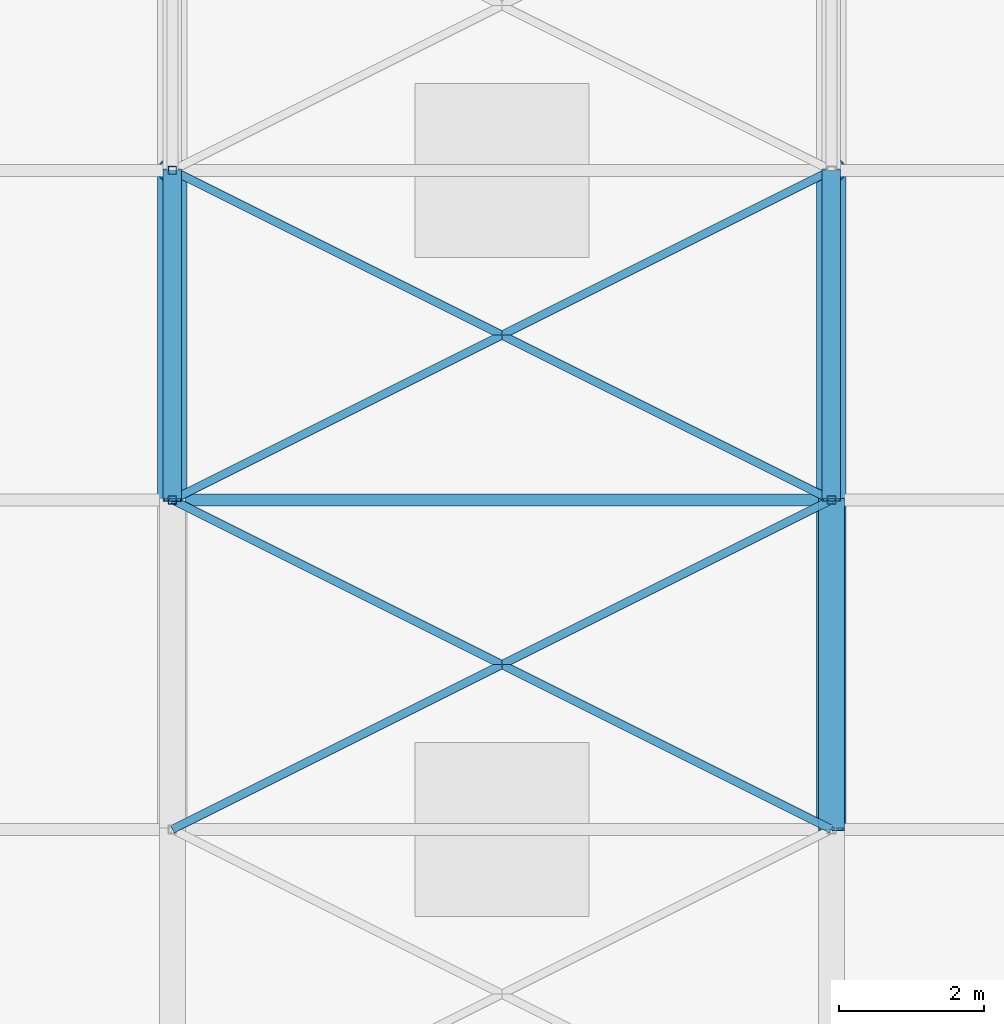
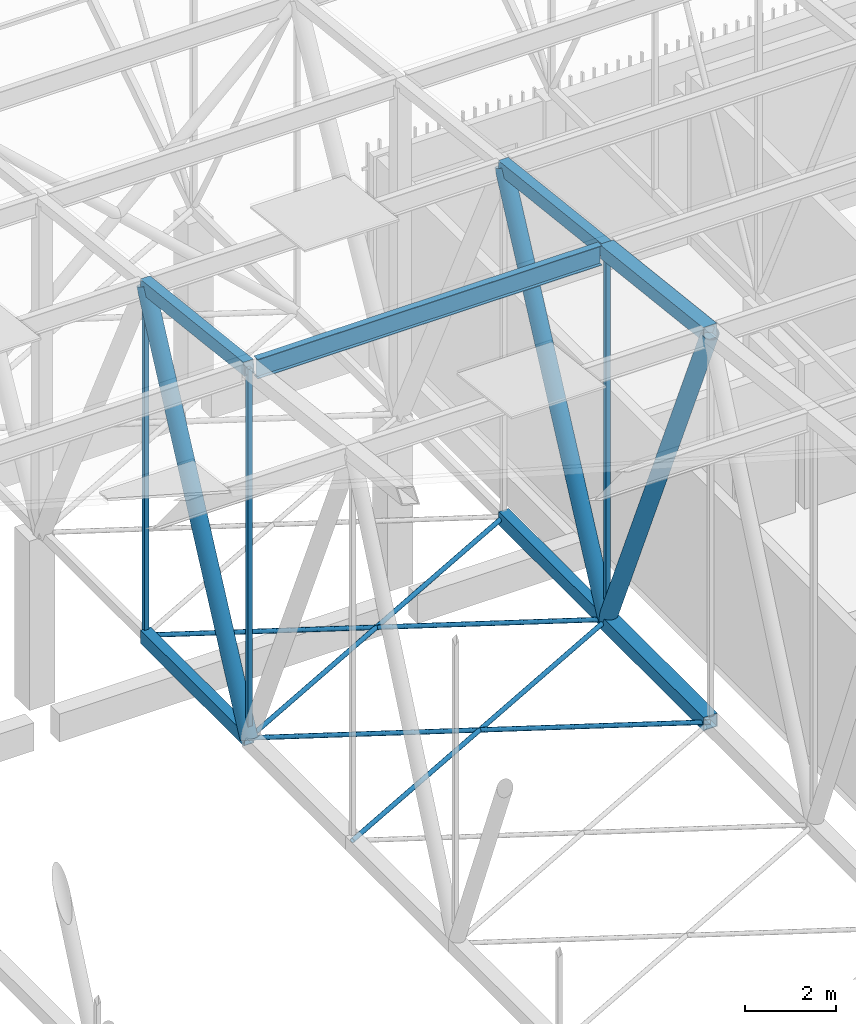
# One storey, part 311 of 500: 17 members.
"""IFC4 building model written with IfcOpenShell, lengths in metres."""

import ifcopenshell
import ifcopenshell.guid

model = None  # the IFC model being written
_history = None  # IfcOwnerHistory: only IFC2X3 demands one
_inside = {}  # id of a spatial element -> (the spatial element, [elements in it])
_under = {}  # id of a project, library or spatial element -> (it, [spatial elements below it])
_declared = {}  # id of a project -> (the project, [libraries it declares])
_typed = {}  # id of a type object -> (the type object, [elements of that type])
_made_of = {}  # id of a material, layer set ... -> (it, [elements and type objects made of it])


def new_model(schema):
    """Start an empty IFC model of exactly this schema.

    Asked for "IFC4X3", IfcOpenShell would pick the latest addendum, in which some entities
    have other attributes; the version numbers below select the first issue.
    IFC2X3 requires an IfcOwnerHistory on every rooted entity: one is made here for all.
    """
    global model, _history
    if schema == "IFC4X3":
        model = ifcopenshell.file(schema_version=(4, 3, 0, 0))
    else:
        model = ifcopenshell.file(schema=schema)
    _inside.clear()
    _under.clear()
    _declared.clear()
    _typed.clear()
    _made_of.clear()
    _history = None
    if model.schema == "IFC2X3":
        org = make("IfcOrganization", Name="unknown")
        user = make(
            "IfcPersonAndOrganization",
            ThePerson=make("IfcPerson", FamilyName="unknown"),
            TheOrganization=org,
        )
        app = make(
            "IfcApplication",
            ApplicationDeveloper=org,
            Version="unknown",
            ApplicationFullName="unknown",
            ApplicationIdentifier="unknown",
        )
        _history = make(
            "IfcOwnerHistory",
            OwningUser=user,
            OwningApplication=app,
            ChangeAction="ADDED",
            CreationDate=0,
        )
    return model


def make(cls, **values):
    """One entity of the class cls with the attributes given. An attribute that is None is left unset."""
    return model.create_entity(
        cls, **{name: value for name, value in values.items() if value is not None}
    )


def rooted(cls, **values):
    """An entity with a GlobalId (a new one), such as an element, a storey or a relation."""
    return make(cls, GlobalId=ifcopenshell.guid.new(), OwnerHistory=_history, **values)


def si_unit(unit_type, name, prefix=None):
    """IfcSIUnit, for example si_unit("LENGTHUNIT", "METRE", prefix="MILLI")."""
    return make("IfcSIUnit", UnitType=unit_type, Prefix=prefix, Name=name)


def assignment(units):
    """IfcUnitAssignment: the units of a project."""
    return None if units is None else make("IfcUnitAssignment", Units=units)


def point(xyz):
    """IfcCartesianPoint."""
    return None if xyz is None else make("IfcCartesianPoint", Coordinates=xyz)


def direction(xyz):
    """IfcDirection."""
    return None if xyz is None else make("IfcDirection", DirectionRatios=xyz)


def frame(location, z_axis=None, x_axis=None):
    """IfcAxis2Placement3D, a coordinate frame: its origin and axes. An axis left out is left unset."""
    return make(
        "IfcAxis2Placement3D",
        Location=point(location),
        Axis=direction(z_axis),
        RefDirection=direction(x_axis),
    )


def frame_2d(location, x_axis=None):
    """IfcAxis2Placement2D, a coordinate frame in the plane: its origin and x axis."""
    return make(
        "IfcAxis2Placement2D", Location=point(location), RefDirection=direction(x_axis)
    )


def origin():
    """The frame at (0, 0, 0) with its axes left unset."""
    return frame((0.0, 0.0, 0.0))


def origin_2d():
    """The frame at (0, 0) in the plane with its x axis left unset."""
    return frame_2d((0.0, 0.0))


def place(relative_to, where):
    """IfcLocalPlacement: puts the frame where relative to a parent placement (None: the world)."""
    return make(
        "IfcLocalPlacement", PlacementRelTo=relative_to, RelativePlacement=where
    )


def context(
    kind, dimensions, precision=None, world=None, true_north=None, identifier=None
):
    """IfcGeometricRepresentationContext, for example the 3D "Model" context."""
    return make(
        "IfcGeometricRepresentationContext",
        ContextIdentifier=identifier,
        ContextType=kind,
        CoordinateSpaceDimension=dimensions,
        Precision=precision,
        WorldCoordinateSystem=world,
        TrueNorth=true_north,
    )


def subcontext(parent, identifier, kind, view, scale=None):
    """IfcGeometricRepresentationSubContext, for example "Body" below "Model"."""
    return make(
        "IfcGeometricRepresentationSubContext",
        ContextIdentifier=identifier,
        ContextType=kind,
        ParentContext=parent,
        TargetScale=scale,
        TargetView=view,
    )


def project(units=None, contexts=None):
    """IfcProject with its units and contexts."""
    return rooted(
        "IfcProject",
        Name="project",
        RepresentationContexts=contexts,
        UnitsInContext=assignment(units),
    )


def spatial(cls, under=None, at=None, **own):
    """A site, building, storey or space (cls), placed at a placement, below another one or the project."""
    s = rooted(cls, ObjectPlacement=at, **own)
    if under is not None:
        _under.setdefault(under.id(), (under, []))[1].append(s)
    return s


def profile(cls, at=None, kind="AREA", **sizes):
    """A parametric profile (cls). Its sizes go by their IFC names, for example OverallWidth=200.0."""
    return make(cls, ProfileType=kind, Position=at, **sizes)


def hollow_rectangle(**sizes):
    """IfcRectangleHollowProfileDef."""
    return profile("IfcRectangleHollowProfileDef", **sizes)


def hollow_circle(**sizes):
    """IfcCircleHollowProfileDef."""
    return profile("IfcCircleHollowProfileDef", **sizes)


def i_section(**sizes):
    """IfcIShapeProfileDef."""
    return profile("IfcIShapeProfileDef", **sizes)


def extrude(swept, where, along, depth):
    """IfcExtrudedAreaSolid: the profile swept, set in the frame where, extruded along a direction by depth."""
    return make(
        "IfcExtrudedAreaSolid",
        SweptArea=swept,
        Position=where,
        ExtrudedDirection=direction(along),
        Depth=depth,
    )


def shape(context_of_items, identifier, shape_type, items):
    """IfcShapeRepresentation: the items that make up one representation, for example the "Body"."""
    return make(
        "IfcShapeRepresentation",
        ContextOfItems=context_of_items,
        RepresentationIdentifier=identifier,
        RepresentationType=shape_type,
        Items=items,
    )


def material(Name=None, Category=None):
    """IfcMaterial."""
    return make("IfcMaterial", Name=Name, Category=Category)


def material_profile(
    of_material, cross_section, Name=None, Category=None, Priority=None
):
    """IfcMaterialProfile: a cross section and its material."""
    return make(
        "IfcMaterialProfile",
        Name=Name,
        Material=of_material,
        Profile=cross_section,
        Priority=Priority,
        Category=Category,
    )


def profile_set(profiles, Name=None, composite=None):
    """IfcMaterialProfileSet."""
    return make(
        "IfcMaterialProfileSet",
        Name=Name,
        MaterialProfiles=profiles,
        CompositeProfile=composite,
    )


def made_of(thing, what):
    """Note that an element or type object is made of a material, layer set ...; save() writes the relation."""
    if what is not None:
        _made_of.setdefault(what.id(), (what, []))[1].append(thing)
    return thing


def type_object(cls, material=None, **own):
    """A type object (cls), such as IfcWallType, which elements share."""
    return made_of(rooted(cls, **own), material)


def element(
    cls,
    number,
    at=None,
    inside=None,
    cuts=None,
    type_object=None,
    material=None,
    context=None,
    identifier="Body",
    shape_type=None,
    held_by="IfcProductDefinitionShape",
    body=None,
    shapes=None,
    **own,
):
    """One element of the class cls, such as IfcWall. Its Tag is "e" and its number.

    at: its placement. inside: the storey or other place that contains it. cuts: it is an
    opening in that element (IfcRelVoidsElement). A single representation is given by context,
    identifier, shape_type and body (its items); several are given by shapes. held_by: the class
    of the entity that holds the representations. save() writes the other relations.
    """
    e = rooted(cls, Tag="e%d" % number, ObjectPlacement=at, **own)
    if body is not None:
        shapes = [shape(context, identifier, shape_type, body)]
    if shapes is not None:
        e.Representation = make(held_by, Representations=shapes)
    if inside is not None:
        _inside.setdefault(inside.id(), (inside, []))[1].append(e)
    if cuts is not None:
        rooted(
            "IfcRelVoidsElement", RelatingBuildingElement=cuts, RelatedOpeningElement=e
        )
    if type_object is not None:
        _typed.setdefault(type_object.id(), (type_object, []))[1].append(e)
    return made_of(e, material)


def aggregate(whole, parts):
    """IfcRelAggregates: a whole, such as a stair, and the parts it consists of."""
    return rooted("IfcRelAggregates", RelatingObject=whole, RelatedObjects=parts)


def save(model, path):
    """Write the relations noted so far, then the file.

    IfcRelAggregates (storeys below a building ...), IfcRelContainedInSpatialStructure (elements
    in a storey), IfcRelDefinesByType, IfcRelAssociatesMaterial and IfcRelDeclares: one each for
    every whole, place, type object, material and project.
    """
    for whole, parts in _under.values():
        aggregate(whole, parts)
    for where, things in _inside.values():
        rooted(
            "IfcRelContainedInSpatialStructure",
            RelatedElements=things,
            RelatingStructure=where,
        )
    for kind, things in _typed.values():
        rooted("IfcRelDefinesByType", RelatedObjects=things, RelatingType=kind)
    for what, things in _made_of.values():
        rooted("IfcRelAssociatesMaterial", RelatedObjects=things, RelatingMaterial=what)
    for by, libraries in _declared.values():
        rooted("IfcRelDeclares", RelatingContext=by, RelatedDefinitions=libraries)
    model.write(path)


model = new_model("IFC4")

# Units and contexts
model_context = context("Model", 3, precision=1e-05, world=origin(), true_north=direction((0.0, 1.0)))
body_context = subcontext(model_context, "Body", "Model", "MODEL_VIEW")
ifc_project = project(units=[si_unit("LENGTHUNIT", "METRE"), si_unit("AREAUNIT", "SQUARE_METRE"), si_unit("VOLUMEUNIT", "CUBIC_METRE"), si_unit("PLANEANGLEUNIT", "RADIAN"), si_unit("MASSUNIT", "GRAM", prefix="KILO")], contexts=[model_context])

# Site, building, storey
site_placement = place(None, origin())
site = spatial("IfcSite", under=ifc_project, at=site_placement, CompositionType="ELEMENT")
building_placement = place(site_placement, origin())
building = spatial("IfcBuilding", under=site, at=building_placement, Name="Shirokan Park Arena", CompositionType="ELEMENT")
storey_placement = place(building_placement, frame((0.0, 0.0, 29.1201171875)))
storey = spatial("IfcBuildingStorey", under=building, at=storey_placement, Name="L06", CompositionType="ELEMENT", Elevation=29.1201171875)

# Members
ifc_material_1 = material(Name="Steel ASTM A500 Grade C", Category="steel")
ifc_material_profile_1 = material_profile(ifc_material_1, hollow_rectangle(XDim=0.25390625, YDim=0.35595703125, WallThickness=0.015869140625, at=origin_2d()), Name="HSS355.6X254X15.9")
ifc_profile_set_1 = profile_set([ifc_material_profile_1], Name="Steel ASTM A500 Grade C")
member_type_1 = type_object("IfcMemberType", Name="Bottom chord HSS355.6X254X15.9", PredefinedType="CHORD", material=ifc_profile_set_1)
for number, where, z_axis, x_axis, name in (
    (1, (91.0, 91.0, 4.677001953125), (0.0, 1.0, 0.0), (-1.0, 0.0, 0.0), "Truss T11 bottom chord 23"),
    (2, (100.10009765625, 91.0, 4.677001953125), (0.0, 1.0, 0.0), (-1.0, 0.0, 0.0), "Truss T12 bottom chord 23"),
):
    element("IfcMember", number, at=place(storey_placement, frame(where, z_axis=z_axis, x_axis=x_axis)), inside=storey, type_object=member_type_1, Name=name, PredefinedType="CHORD", context=body_context, shape_type="SweptSolid", body=[
        extrude(hollow_rectangle(XDim=0.25390625, YDim=0.35595703125, WallThickness=0.015869140625, at=origin_2d()), origin(), (0.0, 0.0, 1.0), 4.550048828125),
    ])
ifc_material_profile_2 = material_profile(ifc_material_1, hollow_rectangle(XDim=0.35595703125, YDim=0.35595703125, WallThickness=0.01904296875, at=origin_2d()), Name="HSS355.6X355.6X19.0")
ifc_profile_set_2 = profile_set([ifc_material_profile_2], Name="Steel ASTM A500 Grade C")
member_type_2 = type_object("IfcMemberType", Name="Bottom chord HSS355.6X355.6X19.0", PredefinedType="CHORD", material=ifc_profile_set_2)
member_1_placement = place(storey_placement, frame((100.10009765625, 86.449951171875, 4.677001953125), z_axis=(0.0, 1.0, 0.0), x_axis=(-1.0, 0.0, 0.0)))
element("IfcMember", 3, at=member_1_placement, inside=storey, type_object=member_type_2, Name="Truss T12 bottom chord 22", PredefinedType="CHORD", context=body_context, shape_type="SweptSolid", body=[
    extrude(hollow_rectangle(XDim=0.35595703125, YDim=0.35595703125, WallThickness=0.01904296875, at=origin_2d()), origin(), (0.0, 0.0, 1.0), 4.550048828125),
])
ifc_material_profile_3 = material_profile(ifc_material_1, hollow_circle(Radius=0.056884765625, WallThickness=0.006103515625, at=origin_2d()), Name="HSS114.3X6")
ifc_profile_set_3 = profile_set([ifc_material_profile_3], Name="Steel ASTM A500 Grade C")
member_type_3 = type_object("IfcMemberType", Name="Plan bracing HSS114.3X6", PredefinedType="BRACE", material=ifc_profile_set_3)
for number, where, z_axis, x_axis, name in (
    (4, (91.0, 86.449951171875, 4.677001953125), (0.894427191, 0.4472135955, 0.0), (-0.4472135955, 0.894427191, 0.0), "Plan bracing bay 11 panel 22 A"),
    (5, (100.10009765625, 86.449951171875, 4.677001953125), (-0.894427191, 0.4472135955, 0.0), (-0.4472135955, -0.894427191, 0.0), "Plan bracing bay 11 panel 22 B"),
    (6, (91.0, 91.0, 4.677001953125), (0.894427191, 0.4472135955, 0.0), (-0.4472135955, 0.894427191, 0.0), "Plan bracing bay 11 panel 23 A"),
    (7, (100.10009765625, 91.0, 4.677001953125), (-0.894427191, 0.4472135955, 0.0), (-0.4472135955, -0.894427191, 0.0), "Plan bracing bay 11 panel 23 B"),
):
    element("IfcMember", number, at=place(storey_placement, frame(where, z_axis=z_axis, x_axis=x_axis)), inside=storey, type_object=member_type_3, Name=name, PredefinedType="BRACE", context=body_context, shape_type="SweptSolid", body=[
        extrude(hollow_circle(Radius=0.056884765625, WallThickness=0.006103515625, at=origin_2d()), origin(), (0.0, 0.0, 1.0), 10.17431640625),
    ])
ifc_material_2 = material(Name="Steel ASTM A992", Category="steel")
ifc_material_profile_4 = material_profile(ifc_material_2, i_section(OverallWidth=0.166015625, OverallDepth=0.528076171875, WebThickness=0.009765625, FlangeThickness=0.013671875, at=origin_2d()), Name="W530X74")
ifc_profile_set_4 = profile_set([ifc_material_profile_4], Name="Steel ASTM A992")
member_type_4 = type_object("IfcMemberType", Name="Purlin W530X74", PredefinedType="PURLIN", material=ifc_profile_set_4)
member_2_placement = place(storey_placement, frame((91.177978515625, 91.0, 14.56591796875), z_axis=(1.0, 0.0, 0.0), x_axis=(0.0, 1.0, 0.0)))
element("IfcMember", 8, at=member_2_placement, inside=storey, type_object=member_type_4, Name="Purlin 23 bay 11", PredefinedType="PURLIN", context=body_context, shape_type="SweptSolid", body=[
    extrude(i_section(OverallWidth=0.166015625, OverallDepth=0.528076171875, WebThickness=0.009765625, FlangeThickness=0.013671875, at=origin_2d()), origin(), (0.0, 0.0, 1.0), 8.744140625),
])
ifc_material_profile_5 = material_profile(ifc_material_1, hollow_rectangle(XDim=0.25390625, YDim=0.35595703125, WallThickness=0.015869140625, at=origin_2d()), Name="HSS355.6X254X15.9")
ifc_profile_set_5 = profile_set([ifc_material_profile_5], Name="Steel ASTM A500 Grade C")
member_type_5 = type_object("IfcMemberType", Name="Top chord HSS355.6X254X15.9", PredefinedType="CHORD", material=ifc_profile_set_5)
for number, where, z_axis, x_axis, name in (
    (9, (91.0, 91.0, 14.621337890625), (0.0, 0.993532328996, -0.113549598152), (-1.0, 0.0, 0.0), "Truss T11 top chord 23"),
    (10, (100.10009765625, 91.0, 14.621337890625), (0.0, 0.993532328996, -0.113549598152), (-1.0, 0.0, 0.0), "Truss T12 top chord 23"),
):
    element("IfcMember", number, at=place(storey_placement, frame(where, z_axis=z_axis, x_axis=x_axis)), inside=storey, type_object=member_type_5, Name=name, PredefinedType="CHORD", context=body_context, shape_type="SweptSolid", body=[
        extrude(hollow_rectangle(XDim=0.25390625, YDim=0.35595703125, WallThickness=0.015869140625, at=origin_2d()), origin(), (0.0, 0.0, 1.0), 4.57958984375),
    ])
ifc_material_profile_6 = material_profile(ifc_material_1, hollow_rectangle(XDim=0.35595703125, YDim=0.35595703125, WallThickness=0.01904296875, at=origin_2d()), Name="HSS355.6X355.6X19.0")
ifc_profile_set_6 = profile_set([ifc_material_profile_6], Name="Steel ASTM A500 Grade C")
member_type_6 = type_object("IfcMemberType", Name="Top chord HSS355.6X355.6X19.0", PredefinedType="CHORD", material=ifc_profile_set_6)
member_3_placement = place(storey_placement, frame((100.10009765625, 86.449951171875, 15.141357421875), z_axis=(0.0, 0.993532328996, -0.113549598152), x_axis=(-1.0, 0.0, 0.0)))
element("IfcMember", 11, at=member_3_placement, inside=storey, type_object=member_type_6, Name="Truss T12 top chord 22", PredefinedType="CHORD", context=body_context, shape_type="SweptSolid", body=[
    extrude(hollow_rectangle(XDim=0.35595703125, YDim=0.35595703125, WallThickness=0.01904296875, at=origin_2d()), origin(), (0.0, 0.0, 1.0), 4.57958984375),
])
ifc_material_profile_7 = material_profile(ifc_material_1, hollow_circle(Radius=0.202880859375, WallThickness=0.015869140625, at=origin_2d()), Name="HSS406.4X15.9")
ifc_profile_set_7 = profile_set([ifc_material_profile_7], Name="Steel ASTM A500 Grade C")
member_type_7 = type_object("IfcMemberType", Name="Truss diagonal HSS406.4X15.9", PredefinedType="BRACE", material=ifc_profile_set_7)
member_4_placement = place(storey_placement, frame((91.0, 91.0, 4.677001953125), z_axis=(0.0, 0.434778423415, 0.900537463148), x_axis=(-1.0, 0.0, 0.0)))
element("IfcMember", 12, at=member_4_placement, inside=storey, type_object=member_type_7, Name="Truss T11 diagonal 23", PredefinedType="BRACE", context=body_context, shape_type="SweptSolid", body=[
    extrude(hollow_circle(Radius=0.202880859375, WallThickness=0.015869140625, at=origin_2d()), origin(), (0.0, 0.0, 1.0), 10.46533203125),
])
member_5_placement = place(storey_placement, frame((100.10009765625, 86.449951171875, 15.141357421875), z_axis=(0.0, 0.398750364192, -0.917059511186), x_axis=(-1.0, 0.0, 0.0)))
element("IfcMember", 13, at=member_5_placement, inside=storey, type_object=member_type_7, Name="Truss T12 diagonal 22", PredefinedType="BRACE", context=body_context, shape_type="SweptSolid", body=[
    extrude(hollow_circle(Radius=0.202880859375, WallThickness=0.015869140625, at=origin_2d()), origin(), (0.0, 0.0, 1.0), 11.410888671875),
])
member_6_placement = place(storey_placement, frame((100.10009765625, 91.0, 4.677001953125), z_axis=(0.0, 0.434778423415, 0.900537463148), x_axis=(-1.0, 0.0, 0.0)))
element("IfcMember", 14, at=member_6_placement, inside=storey, type_object=member_type_7, Name="Truss T12 diagonal 23", PredefinedType="BRACE", context=body_context, shape_type="SweptSolid", body=[
    extrude(hollow_circle(Radius=0.202880859375, WallThickness=0.015869140625, at=origin_2d()), origin(), (0.0, 0.0, 1.0), 10.46533203125),
])
ifc_material_profile_8 = material_profile(ifc_material_1, hollow_rectangle(XDim=0.114013671875, YDim=0.114013671875, WallThickness=0.00634765625, at=origin_2d()), Name="HSS114.3X114.3X6.4")
ifc_profile_set_8 = profile_set([ifc_material_profile_8], Name="Steel ASTM A500 Grade C")
member_type_8 = type_object("IfcMemberType", Name="Truss post HSS114.3X114.3X6.4", PredefinedType="POST", material=ifc_profile_set_8)
member_7_placement = place(storey_placement, frame((91.0, 91.0, 4.677001953125), z_axis=(0.0, 0.0, 1.0), x_axis=(1.0, 0.0, 0.0)))
element("IfcMember", 15, at=member_7_placement, inside=storey, type_object=member_type_8, Name="Truss T11 post 23", PredefinedType="POST", context=body_context, shape_type="SweptSolid", body=[
    extrude(hollow_rectangle(XDim=0.114013671875, YDim=0.114013671875, WallThickness=0.00634765625, at=origin_2d()), origin(), (0.0, 0.0, 1.0), 9.9443359375),
])
member_8_placement = place(storey_placement, frame((91.0, 95.550048828125, 4.677001953125), z_axis=(0.0, 0.0, 1.0), x_axis=(1.0, 0.0, 0.0)))
element("IfcMember", 16, at=member_8_placement, inside=storey, type_object=member_type_8, Name="Truss T11 post 24", PredefinedType="POST", context=body_context, shape_type="SweptSolid", body=[
    extrude(hollow_rectangle(XDim=0.114013671875, YDim=0.114013671875, WallThickness=0.00634765625, at=origin_2d()), origin(), (0.0, 0.0, 1.0), 9.42431640625),
])
member_9_placement = place(storey_placement, frame((100.10009765625, 91.0, 4.677001953125), z_axis=(0.0, 0.0, 1.0), x_axis=(1.0, 0.0, 0.0)))
element("IfcMember", 17, at=member_9_placement, inside=storey, type_object=member_type_8, Name="Truss T12 post 23", PredefinedType="POST", context=body_context, shape_type="SweptSolid", body=[
    extrude(hollow_rectangle(XDim=0.114013671875, YDim=0.114013671875, WallThickness=0.00634765625, at=origin_2d()), origin(), (0.0, 0.0, 1.0), 9.9443359375),
])

save(model, "model.ifc")
